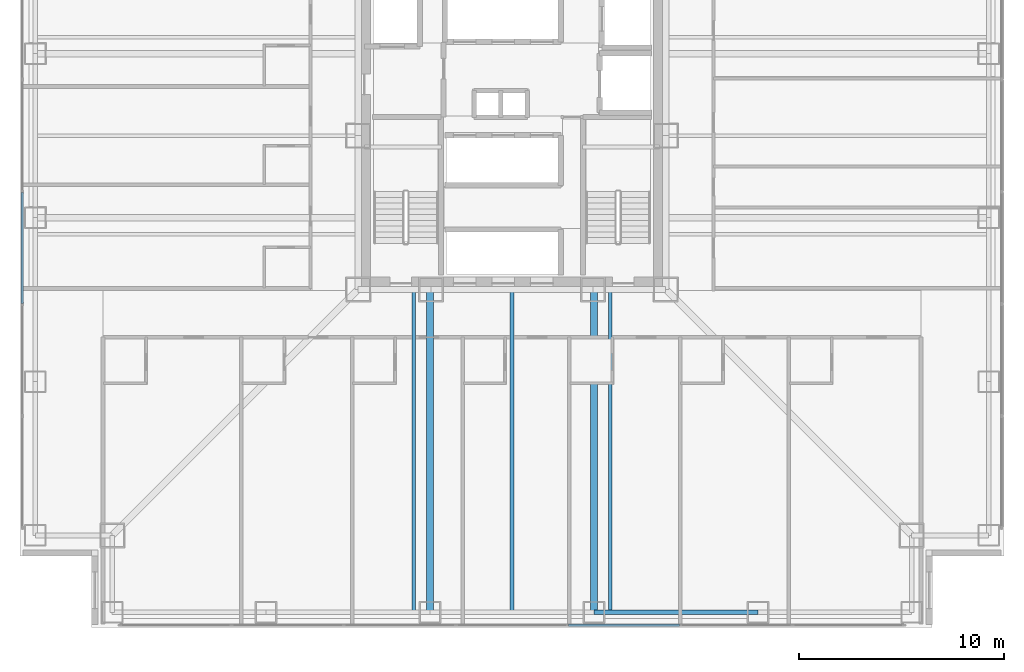
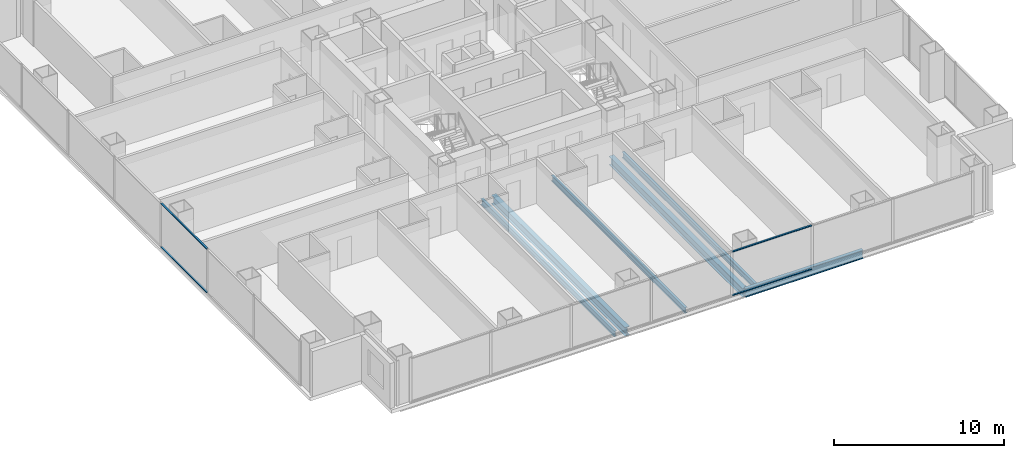
# One storey, part 3 of 17: 6 beams, 4 members, 2 elements without a shape of their own.
"""IFC4 building model written with IfcOpenShell, lengths in metres."""

import ifcopenshell
import ifcopenshell.guid

model = None  # the IFC model being written
_history = None  # IfcOwnerHistory: only IFC2X3 demands one
_inside = {}  # id of a spatial element -> (the spatial element, [elements in it])
_under = {}  # id of a project, library or spatial element -> (it, [spatial elements below it])
_declared = {}  # id of a project -> (the project, [libraries it declares])
_typed = {}  # id of a type object -> (the type object, [elements of that type])
_made_of = {}  # id of a material, layer set ... -> (it, [elements and type objects made of it])


def new_model(schema):
    """Start an empty IFC model of exactly this schema.

    Asked for "IFC4X3", IfcOpenShell would pick the latest addendum, in which some entities
    have other attributes; the version numbers below select the first issue.
    IFC2X3 requires an IfcOwnerHistory on every rooted entity: one is made here for all.
    """
    global model, _history
    if schema == "IFC4X3":
        model = ifcopenshell.file(schema_version=(4, 3, 0, 0))
    else:
        model = ifcopenshell.file(schema=schema)
    _inside.clear()
    _under.clear()
    _declared.clear()
    _typed.clear()
    _made_of.clear()
    _history = None
    if model.schema == "IFC2X3":
        org = make("IfcOrganization", Name="unknown")
        user = make(
            "IfcPersonAndOrganization",
            ThePerson=make("IfcPerson", FamilyName="unknown"),
            TheOrganization=org,
        )
        app = make(
            "IfcApplication",
            ApplicationDeveloper=org,
            Version="unknown",
            ApplicationFullName="unknown",
            ApplicationIdentifier="unknown",
        )
        _history = make(
            "IfcOwnerHistory",
            OwningUser=user,
            OwningApplication=app,
            ChangeAction="ADDED",
            CreationDate=0,
        )
    return model


def make(cls, **values):
    """One entity of the class cls with the attributes given. An attribute that is None is left unset."""
    return model.create_entity(
        cls, **{name: value for name, value in values.items() if value is not None}
    )


def rooted(cls, **values):
    """An entity with a GlobalId (a new one), such as an element, a storey or a relation."""
    return make(cls, GlobalId=ifcopenshell.guid.new(), OwnerHistory=_history, **values)


def si_unit(unit_type, name, prefix=None):
    """IfcSIUnit, for example si_unit("LENGTHUNIT", "METRE", prefix="MILLI")."""
    return make("IfcSIUnit", UnitType=unit_type, Prefix=prefix, Name=name)


def assignment(units):
    """IfcUnitAssignment: the units of a project."""
    return None if units is None else make("IfcUnitAssignment", Units=units)


def point(xyz):
    """IfcCartesianPoint."""
    return None if xyz is None else make("IfcCartesianPoint", Coordinates=xyz)


def direction(xyz):
    """IfcDirection."""
    return None if xyz is None else make("IfcDirection", DirectionRatios=xyz)


def frame(location, z_axis=None, x_axis=None):
    """IfcAxis2Placement3D, a coordinate frame: its origin and axes. An axis left out is left unset."""
    return make(
        "IfcAxis2Placement3D",
        Location=point(location),
        Axis=direction(z_axis),
        RefDirection=direction(x_axis),
    )


def frame_2d(location, x_axis=None):
    """IfcAxis2Placement2D, a coordinate frame in the plane: its origin and x axis."""
    return make(
        "IfcAxis2Placement2D", Location=point(location), RefDirection=direction(x_axis)
    )


def origin():
    """The frame at (0, 0, 0) with its axes left unset."""
    return frame((0.0, 0.0, 0.0))


def origin_2d():
    """The frame at (0, 0) in the plane with its x axis left unset."""
    return frame_2d((0.0, 0.0))


def place(relative_to, where):
    """IfcLocalPlacement: puts the frame where relative to a parent placement (None: the world)."""
    return make(
        "IfcLocalPlacement", PlacementRelTo=relative_to, RelativePlacement=where
    )


def context(
    kind, dimensions, precision=None, world=None, true_north=None, identifier=None
):
    """IfcGeometricRepresentationContext, for example the 3D "Model" context."""
    return make(
        "IfcGeometricRepresentationContext",
        ContextIdentifier=identifier,
        ContextType=kind,
        CoordinateSpaceDimension=dimensions,
        Precision=precision,
        WorldCoordinateSystem=world,
        TrueNorth=true_north,
    )


def subcontext(parent, identifier, kind, view, scale=None):
    """IfcGeometricRepresentationSubContext, for example "Body" below "Model"."""
    return make(
        "IfcGeometricRepresentationSubContext",
        ContextIdentifier=identifier,
        ContextType=kind,
        ParentContext=parent,
        TargetScale=scale,
        TargetView=view,
    )


def project(units=None, contexts=None):
    """IfcProject with its units and contexts."""
    return rooted(
        "IfcProject",
        Name="project",
        RepresentationContexts=contexts,
        UnitsInContext=assignment(units),
    )


def spatial(cls, under=None, at=None, **own):
    """A site, building, storey or space (cls), placed at a placement, below another one or the project."""
    s = rooted(cls, ObjectPlacement=at, **own)
    if under is not None:
        _under.setdefault(under.id(), (under, []))[1].append(s)
    return s


def profile(cls, at=None, kind="AREA", **sizes):
    """A parametric profile (cls). Its sizes go by their IFC names, for example OverallWidth=200.0."""
    return make(cls, ProfileType=kind, Position=at, **sizes)


def rectangle(**sizes):
    """IfcRectangleProfileDef."""
    return profile("IfcRectangleProfileDef", **sizes)


def i_section(**sizes):
    """IfcIShapeProfileDef."""
    return profile("IfcIShapeProfileDef", **sizes)


def extrude(swept, where, along, depth):
    """IfcExtrudedAreaSolid: the profile swept, set in the frame where, extruded along a direction by depth."""
    return make(
        "IfcExtrudedAreaSolid",
        SweptArea=swept,
        Position=where,
        ExtrudedDirection=direction(along),
        Depth=depth,
    )


def shape(context_of_items, identifier, shape_type, items):
    """IfcShapeRepresentation: the items that make up one representation, for example the "Body"."""
    return make(
        "IfcShapeRepresentation",
        ContextOfItems=context_of_items,
        RepresentationIdentifier=identifier,
        RepresentationType=shape_type,
        Items=items,
    )


def material(Name=None, Category=None):
    """IfcMaterial."""
    return make("IfcMaterial", Name=Name, Category=Category)


def layer(
    of_material, thickness, ventilated=None, Name=None, Category=None, Priority=None
):
    """IfcMaterialLayer: one layer of a wall or slab, of a material (None: an air gap)."""
    return make(
        "IfcMaterialLayer",
        Material=of_material,
        LayerThickness=thickness,
        IsVentilated=ventilated,
        Name=Name,
        Category=Category,
        Priority=Priority,
    )


def layer_set(layers, Name=None):
    """IfcMaterialLayerSet."""
    return make("IfcMaterialLayerSet", MaterialLayers=layers, LayerSetName=Name)


def material_profile(
    of_material, cross_section, Name=None, Category=None, Priority=None
):
    """IfcMaterialProfile: a cross section and its material."""
    return make(
        "IfcMaterialProfile",
        Name=Name,
        Material=of_material,
        Profile=cross_section,
        Priority=Priority,
        Category=Category,
    )


def profile_set(profiles, Name=None, composite=None):
    """IfcMaterialProfileSet."""
    return make(
        "IfcMaterialProfileSet",
        Name=Name,
        MaterialProfiles=profiles,
        CompositeProfile=composite,
    )


def made_of(thing, what):
    """Note that an element or type object is made of a material, layer set ...; save() writes the relation."""
    if what is not None:
        _made_of.setdefault(what.id(), (what, []))[1].append(thing)
    return thing


def type_object(cls, material=None, **own):
    """A type object (cls), such as IfcWallType, which elements share."""
    return made_of(rooted(cls, **own), material)


def element(
    cls,
    number,
    at=None,
    inside=None,
    cuts=None,
    type_object=None,
    material=None,
    context=None,
    identifier="Body",
    shape_type=None,
    held_by="IfcProductDefinitionShape",
    body=None,
    shapes=None,
    **own,
):
    """One element of the class cls, such as IfcWall. Its Tag is "e" and its number.

    at: its placement. inside: the storey or other place that contains it. cuts: it is an
    opening in that element (IfcRelVoidsElement). A single representation is given by context,
    identifier, shape_type and body (its items); several are given by shapes. held_by: the class
    of the entity that holds the representations. save() writes the other relations.
    """
    e = rooted(cls, Tag="e%d" % number, ObjectPlacement=at, **own)
    if body is not None:
        shapes = [shape(context, identifier, shape_type, body)]
    if shapes is not None:
        e.Representation = make(held_by, Representations=shapes)
    if inside is not None:
        _inside.setdefault(inside.id(), (inside, []))[1].append(e)
    if cuts is not None:
        rooted(
            "IfcRelVoidsElement", RelatingBuildingElement=cuts, RelatedOpeningElement=e
        )
    if type_object is not None:
        _typed.setdefault(type_object.id(), (type_object, []))[1].append(e)
    return made_of(e, material)


def aggregate(whole, parts):
    """IfcRelAggregates: a whole, such as a stair, and the parts it consists of."""
    return rooted("IfcRelAggregates", RelatingObject=whole, RelatedObjects=parts)


def save(model, path):
    """Write the relations noted so far, then the file.

    IfcRelAggregates (storeys below a building ...), IfcRelContainedInSpatialStructure (elements
    in a storey), IfcRelDefinesByType, IfcRelAssociatesMaterial and IfcRelDeclares: one each for
    every whole, place, type object, material and project.
    """
    for whole, parts in _under.values():
        aggregate(whole, parts)
    for where, things in _inside.values():
        rooted(
            "IfcRelContainedInSpatialStructure",
            RelatedElements=things,
            RelatingStructure=where,
        )
    for kind, things in _typed.values():
        rooted("IfcRelDefinesByType", RelatedObjects=things, RelatingType=kind)
    for what, things in _made_of.values():
        rooted("IfcRelAssociatesMaterial", RelatedObjects=things, RelatingMaterial=what)
    for by, libraries in _declared.values():
        rooted("IfcRelDeclares", RelatingContext=by, RelatedDefinitions=libraries)
    model.write(path)


model = new_model("IFC4")

# Units and contexts
model_context = context("Model", 3, precision=1e-05, world=origin(), true_north=direction((0.0, 1.0)))
body_context = subcontext(model_context, "Body", "Model", "MODEL_VIEW")
ifc_project = project(units=[si_unit("LENGTHUNIT", "METRE"), si_unit("AREAUNIT", "SQUARE_METRE"), si_unit("VOLUMEUNIT", "CUBIC_METRE"), si_unit("PLANEANGLEUNIT", "RADIAN"), si_unit("MASSUNIT", "GRAM", prefix="KILO")], contexts=[model_context])

# Site, building, storey
site_placement = place(None, origin())
site = spatial("IfcSite", under=ifc_project, at=site_placement, CompositionType="ELEMENT")
building_placement = place(site_placement, origin())
building = spatial("IfcBuilding", under=site, at=building_placement, Name="Trevonay Congress Spire", CompositionType="ELEMENT")
storey_placement = place(building_placement, frame((0.0, 0.0, 30.5)))
storey = spatial("IfcBuildingStorey", under=building, at=storey_placement, Name="L06", CompositionType="ELEMENT", Elevation=30.5)

# Beams
ifc_material_1 = material(Name="Steel ASTM A572 Grade 50", Category="steel")
ifc_material_profile_1 = material_profile(ifc_material_1, i_section(OverallWidth=0.324951171875, OverallDepth=0.615966796875, WebThickness=0.013916015625, FlangeThickness=0.021484375, FilletRadius=0.01806640625, at=origin_2d()), Name="W610x174")
ifc_profile_set_1 = profile_set([ifc_material_profile_1], Name="Steel ASTM A572 Grade 50")
beam_type_1 = type_object("IfcBeamType", Name="BM-GIRD-W610X174", PredefinedType="BEAM", material=ifc_profile_set_1)
for number, where, z_axis, x_axis, name in (
    (1, (-4.0, -7.5, -0.55810546875), (0.0, -1.0, 0.0), (1.0, 0.0, 0.0), "L06 structural beam BM-L06-GS-M"),
    (2, (4.0, -7.5, -0.55810546875), (0.0, -1.0, 0.0), (1.0, 0.0, 0.0), "L06 structural beam BM-L06-GS-P"),
):
    element("IfcBeam", number, at=place(storey_placement, frame(where, z_axis=z_axis, x_axis=x_axis)), inside=storey, type_object=beam_type_1, Name=name, PredefinedType="BEAM", context=body_context, shape_type="SweptSolid", body=[
        extrude(i_section(OverallWidth=0.324951171875, OverallDepth=0.615966796875, WebThickness=0.013916015625, FlangeThickness=0.021484375, FilletRadius=0.01806640625, at=origin_2d()), origin(), (0.0, 0.0, 1.0), 15.75),
    ])
ifc_material_profile_2 = material_profile(ifc_material_1, i_section(OverallWidth=0.22998046875, OverallDepth=0.616943359375, WebThickness=0.01318359375, FlangeThickness=0.022216796875, FilletRadius=0.01611328125, at=origin_2d()), Name="W610x140")
ifc_profile_set_2 = profile_set([ifc_material_profile_2], Name="Steel ASTM A572 Grade 50")
beam_type_2 = type_object("IfcBeamType", Name="BM-RING-W610X140", PredefinedType="BEAM", material=ifc_profile_set_2)
beam_placement = place(storey_placement, frame((4.0, -23.25, -0.55859375), z_axis=(1.0, 0.0, 0.0), x_axis=(0.0, 1.0, 0.0)))
element("IfcBeam", 3, at=beam_placement, inside=storey, type_object=beam_type_2, Name="L06 structural beam BM-L06-PS4", PredefinedType="BEAM", context=body_context, shape_type="SweptSolid", body=[
    extrude(i_section(OverallWidth=0.22998046875, OverallDepth=0.616943359375, WebThickness=0.01318359375, FlangeThickness=0.022216796875, FilletRadius=0.01611328125, at=origin_2d()), origin(), (0.0, 0.0, 1.0), 8.0),
])

# Curtain wall, members
ifc_material_2 = material(Name="Pale Anodised Aluminium EN AW-6063-T6", Category="aluminium")
ifc_layer = layer(ifc_material_2, 0.179931640625, Name="Pale Anodised Aluminium EN AW-6063-T6")
ifc_layer_set = layer_set([ifc_layer], Name="Pale Anodised Aluminium EN AW-6063-T6")
curtain_wall_type = type_object("IfcCurtainWallType", Name="CW-SYS02-HOTEL-PALE-METAL", PredefinedType="NOTDEFINED", material=ifc_layer_set)
curtain_wall_1_placement = place(storey_placement, origin())
curtain_wall_1 = element("IfcCurtainWall", 4, at=curtain_wall_1_placement, inside=storey, type_object=curtain_wall_type, Name="L06 S unitised curtain wall", PredefinedType="NOTDEFINED")
ifc_material_profile_3 = material_profile(ifc_material_2, rectangle(XDim=0.1201171875, YDim=0.06005859375, at=origin_2d()), Name="CW-TRANSOM-120-ALUMINIUM")
ifc_profile_set_3 = profile_set([ifc_material_profile_3], Name="Pale Anodised Aluminium EN AW-6063-T6")
member_type = type_object("IfcMemberType", Name="CW-TRANSOM-120-ALUMINIUM", PredefinedType="USERDEFINED", material=ifc_profile_set_3)
member_1_placement = place(storey_placement, frame((2.765625, -23.8798828125, 0.06005859375), z_axis=(1.0, 0.0, 0.0), x_axis=(0.0, 1.0, 0.0)))
member_1 = element("IfcMember", 5, at=member_1_placement, type_object=member_type, Name="CW02 transom 5.1", ObjectType="TRANSOM", PredefinedType="USERDEFINED", context=body_context, shape_type="SweptSolid", body=[
    extrude(rectangle(XDim=0.1201171875, YDim=0.06005859375, at=origin_2d()), origin(), (0.0, 0.0, 1.0), 5.41162109375),
])
member_2_placement = place(storey_placement, frame((2.765625, -23.8798828125, 3.18994140625), z_axis=(1.0, 0.0, 0.0), x_axis=(0.0, 1.0, 0.0)))
member_2 = element("IfcMember", 6, at=member_2_placement, type_object=member_type, Name="CW02 transom 5.2", ObjectType="TRANSOM", PredefinedType="USERDEFINED", context=body_context, shape_type="SweptSolid", body=[
    extrude(rectangle(XDim=0.1201171875, YDim=0.06005859375, at=origin_2d()), origin(), (0.0, 0.0, 1.0), 5.41162109375),
])
aggregate(curtain_wall_1, [member_1, member_2])

curtain_wall_2_placement = place(storey_placement, origin())
curtain_wall_2 = element("IfcCurtainWall", 7, at=curtain_wall_2_placement, inside=storey, type_object=curtain_wall_type, Name="L06 W unitised curtain wall", PredefinedType="NOTDEFINED")
member_3_placement = place(storey_placement, frame((-23.8798828125, -8.17724609375, 0.06005859375), z_axis=(0.0, 1.0, 0.0), x_axis=(-1.0, 0.0, 0.0)))
member_3 = element("IfcMember", 8, at=member_3_placement, type_object=member_type, Name="CW02 transom 3.1", ObjectType="TRANSOM", PredefinedType="USERDEFINED", context=body_context, shape_type="SweptSolid", body=[
    extrude(rectangle(XDim=0.1201171875, YDim=0.06005859375, at=origin_2d()), origin(), (0.0, 0.0, 1.0), 5.41162109375),
])
member_4_placement = place(storey_placement, frame((-23.8798828125, -8.17724609375, 3.18994140625), z_axis=(0.0, 1.0, 0.0), x_axis=(-1.0, 0.0, 0.0)))
member_4 = element("IfcMember", 9, at=member_4_placement, type_object=member_type, Name="CW02 transom 3.2", ObjectType="TRANSOM", PredefinedType="USERDEFINED", context=body_context, shape_type="SweptSolid", body=[
    extrude(rectangle(XDim=0.1201171875, YDim=0.06005859375, at=origin_2d()), origin(), (0.0, 0.0, 1.0), 5.41162109375),
])
aggregate(curtain_wall_2, [member_3, member_4])

# Beams
ifc_material_profile_4 = material_profile(ifc_material_1, i_section(OverallWidth=0.177978515625, OverallDepth=0.406982421875, WebThickness=0.0078125, FlangeThickness=0.0126953125, FilletRadius=0.012939453125, at=origin_2d()), Name="W410x60")
ifc_profile_set_4 = profile_set([ifc_material_profile_4], Name="Steel ASTM A572 Grade 50")
beam_type_3 = type_object("IfcBeamType", Name="JS-COMP-W410X60", PredefinedType="JOIST", material=ifc_profile_set_4)
for number, where, z_axis, x_axis, name in (
    (10, (-4.800048828125, -23.25, -0.45361328125), (0.0, 1.0, 0.0), (-1.0, 0.0, 0.0), "L06 structural beam JS-L06-NS-S1"),
    (11, (0.0, -23.25, -0.45361328125), (0.0, 1.0, 0.0), (-1.0, 0.0, 0.0), "L06 structural beam JS-L06-NS-S2"),
    (12, (4.800048828125, -23.25, -0.45361328125), (0.0, 1.0, 0.0), (-1.0, 0.0, 0.0), "L06 structural beam JS-L06-NS-S3"),
):
    element("IfcBeam", number, at=place(storey_placement, frame(where, z_axis=z_axis, x_axis=x_axis)), inside=storey, type_object=beam_type_3, Name=name, PredefinedType="JOIST", context=body_context, shape_type="SweptSolid", body=[
        extrude(i_section(OverallWidth=0.177978515625, OverallDepth=0.406982421875, WebThickness=0.0078125, FlangeThickness=0.0126953125, FilletRadius=0.012939453125, at=origin_2d()), origin(), (0.0, 0.0, 1.0), 15.75),
    ])

save(model, "model.ifc")
